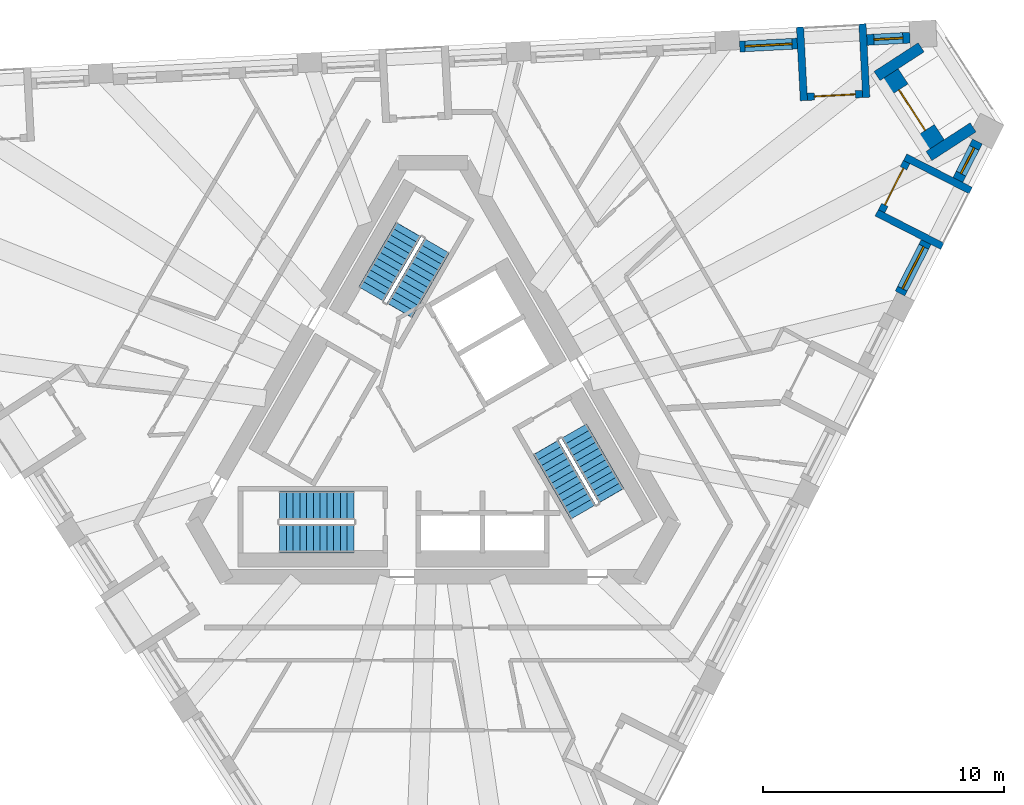
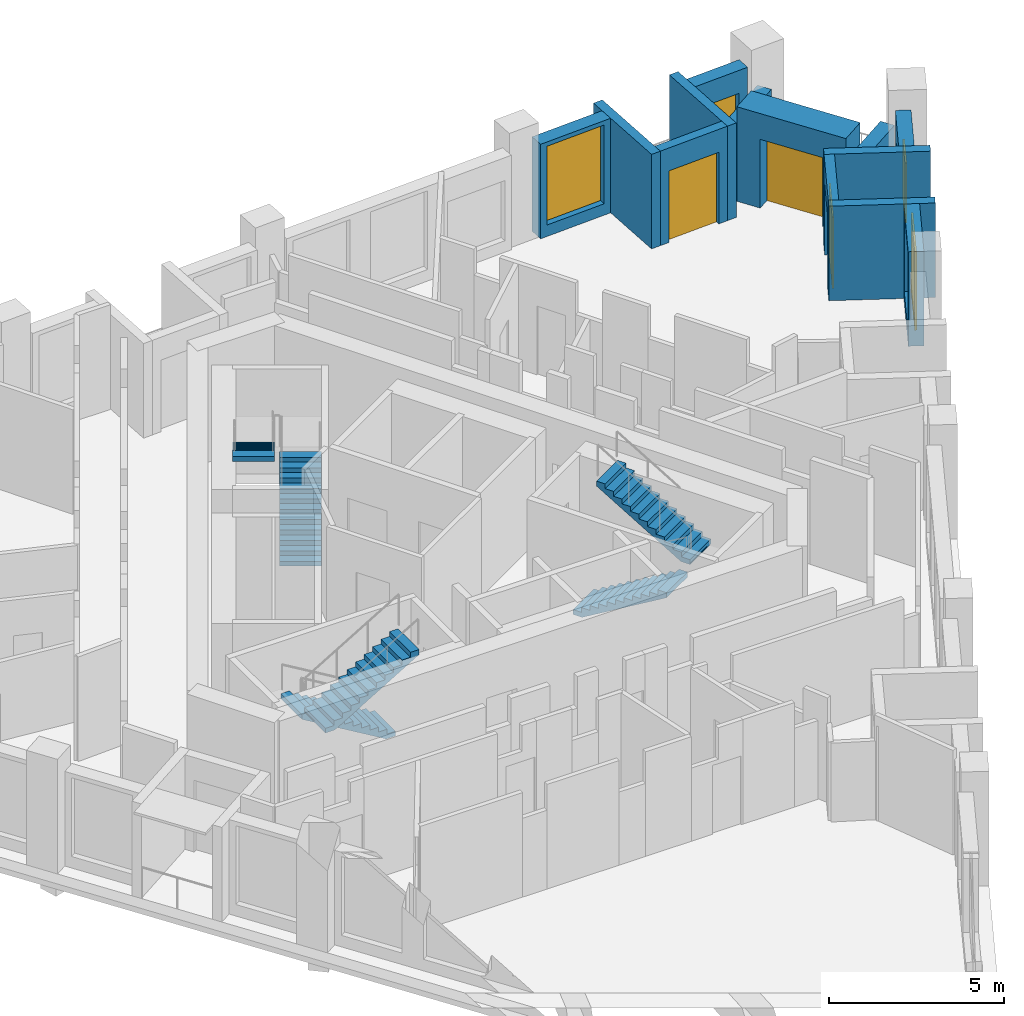
# One storey, part 8 of 12: 13 walls, 6 stair flights, 4 windows, 3 doors, 7 openings, 3 elements without a shape of their own.
"""IFC4 building model written with IfcOpenShell, lengths in metres."""

from ifc_helpers import new_model, si_unit, direction, frame, frame_2d, origin, place, context, subcontext, project, spatial, polyline, rectangle, outline, extrude, material, layer, layer_set, type_object, element, fill, aggregate, save


model = new_model("IFC4")

# Units and contexts
model_context = context("Model", 3, precision=1e-05, world=origin(), true_north=direction((0.0, 1.0)))
body_context = subcontext(model_context, "Body", "Model", "MODEL_VIEW")
ifc_project = project(units=[si_unit("LENGTHUNIT", "METRE"), si_unit("AREAUNIT", "SQUARE_METRE"), si_unit("VOLUMEUNIT", "CUBIC_METRE"), si_unit("PLANEANGLEUNIT", "RADIAN"), si_unit("MASSUNIT", "GRAM", prefix="KILO")], contexts=[model_context])

# Site, building, storey
site_placement = place(None, origin())
site = spatial("IfcSite", under=ifc_project, at=site_placement, CompositionType="ELEMENT")
building_placement = place(site_placement, origin())
building = spatial("IfcBuilding", under=site, at=building_placement, Name="Tramontana Tower", CompositionType="ELEMENT")
storey_placement = place(building_placement, frame((0.0, 0.0, 302.39990234375)))
storey = spatial("IfcBuildingStorey", under=building, at=storey_placement, Name="L71", CompositionType="ELEMENT", Elevation=302.39990234375)

# Wall, opening, window
ifc_material_1 = material(Name="Precast concrete 60 MPa", Category="concrete")
ifc_layer_1 = layer(ifc_material_1, 0.449951171875)
ifc_layer_set_1 = layer_set([ifc_layer_1], Name="Precast concrete 60 MPa, 450 mm")
wall_type_1 = type_object("IfcWallType", Name="EW1 Stone-faced precast wall 450", PredefinedType="SOLIDWALL", material=ifc_layer_set_1)
wall_1_placement = place(storey_placement, frame((19.333740234375, 5.28955078125, 0.0), z_axis=(0.0, 0.0, 1.0), x_axis=(0.453951830128, 0.891026226283, 0.0)))
wall_1 = element("IfcWall", 1, at=wall_1_placement, inside=storey, type_object=wall_type_1, Name="External wall L71 face 1 bay 5", PredefinedType="SOLIDWALL", context=body_context, shape_type="SweptSolid", body=[
    extrude(rectangle(XDim=2.38671875, YDim=0.449951171875, at=frame_2d((1.193359375, 0.0))), origin(), (0.0, 0.0, 1.0), 3.300048828125),
])
opening_1_placement = place(wall_1_placement, frame((0.21826171875, 0.0, 0.39990234375)))
opening_1 = element("IfcOpeningElement", 2, at=opening_1_placement, cuts=wall_1, Name="Opening M3", PredefinedType="OPENING", context=body_context, shape_type="SweptSolid", body=[
    extrude(rectangle(XDim=1.949951171875, YDim=2.75, at=frame_2d((0.97509765625, 1.375))), frame((0.0, 0.23486328125, 0.0), z_axis=(0.0, -1.0, 0.0), x_axis=(1.0, 0.0, 0.0)), (0.0, 0.0, 1.0), 0.469970703125),
])
ifc_material_2 = material(Name="Aluminum frame, double glazing unit", Category="aluminium")
window_type_1 = type_object("IfcWindowType", Name="M3 Window 1.95 x 2.75", PartitioningType="SINGLE_PANEL", PredefinedType="WINDOW", material=ifc_material_2)
window_1_placement = place(opening_1_placement, origin())
window_1 = element("IfcWindow", 3, at=window_1_placement, inside=storey, type_object=window_type_1, Name="Window M3 L71 face 1 module 13", OverallHeight=2.75, OverallWidth=1.949951171875, PartitioningType="SINGLE_PANEL", PredefinedType="WINDOW", context=body_context, shape_type="SweptSolid", body=[
    extrude(rectangle(XDim=1.949951171875, YDim=2.75, at=frame_2d((0.97509765625, 1.375))), frame((0.0, 0.030029296875, 0.0), z_axis=(0.0, -1.0, 0.0), x_axis=(1.0, 0.0, 0.0)), (0.0, 0.0, 1.0), 0.06005859375),
])
fill(opening_1, window_1)

wall_2_placement = place(storey_placement, frame((21.727783203125, 9.98828125, 0.0), z_axis=(0.0, 0.0, 1.0), x_axis=(0.454032211525, 0.890985269742, 0.0)))
wall_2 = element("IfcWall", 4, at=wall_2_placement, inside=storey, type_object=wall_type_1, Name="External wall L71 face 1 bay 5", PredefinedType="SOLIDWALL", context=body_context, shape_type="SweptSolid", body=[
    extrude(rectangle(XDim=1.786865234375, YDim=0.449951171875, at=frame_2d((0.8935546875, 0.0))), origin(), (0.0, 0.0, 1.0), 3.300048828125),
])
opening_2_placement = place(wall_2_placement, frame((0.29345703125, 0.0, 0.39990234375)))
opening_2 = element("IfcOpeningElement", 5, at=opening_2_placement, cuts=wall_2, Name="Opening N3L", PredefinedType="OPENING", context=body_context, shape_type="SweptSolid", body=[
    extrude(rectangle(XDim=1.199951171875, YDim=2.10009765625, at=frame_2d((0.60009765625, 1.050048828125))), frame((0.0, 0.23486328125, 0.0), z_axis=(0.0, -1.0, 0.0), x_axis=(1.0, 0.0, 0.0)), (0.0, 0.0, 1.0), 0.469970703125),
])
ifc_material_3 = material(Name="Aluminum frame, double glazing unit", Category="aluminium")
window_type_2 = type_object("IfcWindowType", Name="N3L Window 1.2 x 2.1", PartitioningType="SINGLE_PANEL", PredefinedType="WINDOW", material=ifc_material_3)
window_2_placement = place(opening_2_placement, origin())
window_2 = element("IfcWindow", 6, at=window_2_placement, inside=storey, type_object=window_type_2, Name="Window N3L L71 face 1 module 15", OverallHeight=2.10009765625, OverallWidth=1.199951171875, PartitioningType="SINGLE_PANEL", PredefinedType="WINDOW", context=body_context, shape_type="SweptSolid", body=[
    extrude(rectangle(XDim=1.199951171875, YDim=2.10009765625, at=frame_2d((0.60009765625, 1.050048828125))), frame((0.0, 0.030029296875, 0.0), z_axis=(0.0, -1.0, 0.0), x_axis=(1.0, 0.0, 0.0)), (0.0, 0.0, 1.0), 0.06005859375),
])
fill(opening_2, window_2)

wall_3_placement = place(storey_placement, frame((19.74658203125, 15.880126953125, 0.0), z_axis=(0.0, 0.0, 1.0), x_axis=(-0.998629506551, -0.052336494391, 0.0)))
wall_3 = element("IfcWall", 7, at=wall_3_placement, inside=storey, type_object=wall_type_1, Name="External wall L71 face 2 bay 1", PredefinedType="SOLIDWALL", context=body_context, shape_type="SweptSolid", body=[
    extrude(rectangle(XDim=1.78662109375, YDim=0.449951171875, at=frame_2d((0.893310546875, 0.0))), origin(), (0.0, 0.0, 1.0), 3.300048828125),
])
opening_3_placement = place(wall_3_placement, frame((0.29345703125, 0.0, 0.39990234375)))
opening_3 = element("IfcOpeningElement", 8, at=opening_3_placement, cuts=wall_3, Name="Opening N3L", PredefinedType="OPENING", context=body_context, shape_type="SweptSolid", body=[
    extrude(rectangle(XDim=1.199951171875, YDim=2.10009765625, at=frame_2d((0.60009765625, 1.050048828125))), frame((0.0, 0.23486328125, 0.0), z_axis=(0.0, -1.0, 0.0), x_axis=(1.0, 0.0, 0.0)), (0.0, 0.0, 1.0), 0.469970703125),
])
window_3_placement = place(opening_3_placement, origin())
window_3 = element("IfcWindow", 9, at=window_3_placement, inside=storey, type_object=window_type_2, Name="Window N3L L71 face 2 module 1", OverallHeight=2.10009765625, OverallWidth=1.199951171875, PartitioningType="SINGLE_PANEL", PredefinedType="WINDOW", context=body_context, shape_type="SweptSolid", body=[
    extrude(rectangle(XDim=1.199951171875, YDim=2.10009765625, at=frame_2d((0.60009765625, 1.050048828125))), frame((0.0, 0.030029296875, 0.0), z_axis=(0.0, -1.0, 0.0), x_axis=(1.0, 0.0, 0.0)), (0.0, 0.0, 1.0), 0.06005859375),
])
fill(opening_3, window_3)

wall_4_placement = place(storey_placement, frame((15.07958984375, 15.6357421875, 0.0), z_axis=(0.0, 0.0, 1.0), x_axis=(-0.998627701279, -0.052370929331, 0.0)))
wall_4 = element("IfcWall", 10, at=wall_4_placement, inside=storey, type_object=wall_type_1, Name="External wall L71 face 2 bay 1", PredefinedType="SOLIDWALL", context=body_context, shape_type="SweptSolid", body=[
    extrude(rectangle(XDim=2.38671875, YDim=0.449951171875, at=frame_2d((1.193359375, 0.0))), origin(), (0.0, 0.0, 1.0), 3.300048828125),
])
opening_4_placement = place(wall_4_placement, frame((0.21826171875, 0.0, 0.39990234375)))
opening_4 = element("IfcOpeningElement", 11, at=opening_4_placement, cuts=wall_4, Name="Opening M3", PredefinedType="OPENING", context=body_context, shape_type="SweptSolid", body=[
    extrude(rectangle(XDim=1.949951171875, YDim=2.75, at=frame_2d((0.97509765625, 1.375))), frame((0.0, 0.23486328125, 0.0), z_axis=(0.0, -1.0, 0.0), x_axis=(1.0, 0.0, 0.0)), (0.0, 0.0, 1.0), 0.469970703125),
])
window_4_placement = place(opening_4_placement, origin())
window_4 = element("IfcWindow", 12, at=window_4_placement, inside=storey, type_object=window_type_1, Name="Window M3 L71 face 2 module 3", OverallHeight=2.75, OverallWidth=1.949951171875, PartitioningType="SINGLE_PANEL", PredefinedType="WINDOW", context=body_context, shape_type="SweptSolid", body=[
    extrude(rectangle(XDim=1.949951171875, YDim=2.75, at=frame_2d((0.97509765625, 1.375))), frame((0.0, 0.030029296875, 0.0), z_axis=(0.0, -1.0, 0.0), x_axis=(1.0, 0.0, 0.0)), (0.0, 0.0, 1.0), 0.06005859375),
])
fill(opening_4, window_4)

# Walls
for number, where, z_axis, x_axis, name in (
    (13, (20.209228515625, 15.478759765625, 0.0), (0.0, 0.0, 1.0), (-0.838694375731, -0.544602372486, 0.0), "Corner loggia side wall L71 K72l"),
    (14, (22.3603515625, 12.166015625, 0.0), (0.0, 0.0, 1.0), (-0.838694375731, -0.544602372486, 0.0), "Corner loggia side wall L71 K72r"),
):
    element("IfcWall", number, at=place(storey_placement, frame(where, z_axis=z_axis, x_axis=x_axis)), inside=storey, type_object=wall_type_1, Name=name, PredefinedType="SOLIDWALL", context=body_context, shape_type="SweptSolid", body=[
        extrude(rectangle(XDim=2.17919921875, YDim=0.449951171875, at=frame_2d((1.089599609375, 0.0))), origin(), (0.0, 0.0, 1.0), 2.550048828125),
    ])

# Wall, opening, door
ifc_material_4 = material(Name="Precast concrete 60 MPa", Category="concrete")
ifc_layer_2 = layer(ifc_material_4, 0.89990234375)
ifc_layer_set_2 = layer_set([ifc_layer_2], Name="EW2 Stone-faced corner loggia wall 900")
wall_type_2 = type_object("IfcWallType", Name="EW2 Stone-faced corner loggia wall 900", PredefinedType="SOLIDWALL", material=ifc_layer_set_2)
wall_5_placement = place(storey_placement, frame((18.88134765625, 14.348388671875, 0.0), z_axis=(0.0, 0.0, 1.0), x_axis=(0.544647498784, -0.838665071449, 0.0)))
wall_5 = element("IfcWall", 15, at=wall_5_placement, inside=storey, type_object=wall_type_2, Name="Corner loggia wall L71 K72", PredefinedType="SOLIDWALL", context=body_context, shape_type="SweptSolid", body=[
    extrude(rectangle(XDim=3.5, YDim=0.89990234375, at=frame_2d((1.75, 0.0))), origin(), (0.0, 0.0, 1.0), 3.300048828125),
])
opening_5_placement = place(wall_5_placement, frame((0.75, 0.0, 0.0)))
opening_5 = element("IfcOpeningElement", 16, at=opening_5_placement, cuts=wall_5, Name="Opening BD-72C", PredefinedType="OPENING", context=body_context, shape_type="SweptSolid", body=[
    extrude(rectangle(XDim=2.0, YDim=2.39990234375, at=frame_2d((1.0, 1.199951171875))), frame((0.0, 0.4599609375, 0.0), z_axis=(0.0, -1.0, 0.0), x_axis=(1.0, 0.0, 0.0)), (0.0, 0.0, 1.0), 0.919921875),
])
ifc_material_5 = material(Name="Aluminum frame, double glazing unit", Category="aluminium")
door_type_1 = type_object("IfcDoorType", Name="BC1 Sliding door 2 x 2.4", OperationType="SLIDING_TO_LEFT", PredefinedType="DOOR", material=ifc_material_5)
door_1_placement = place(opening_5_placement, origin())
door_1 = element("IfcDoor", 17, at=door_1_placement, inside=storey, type_object=door_type_1, Name="Corner loggia door L71 K72", OperationType="SLIDING_TO_LEFT", OverallHeight=2.39990234375, OverallWidth=2.0, PredefinedType="DOOR", context=body_context, shape_type="SweptSolid", body=[
    extrude(rectangle(XDim=2.0, YDim=2.39990234375, at=frame_2d((1.0, 1.199951171875))), frame((0.0, 0.02490234375, 0.0), z_axis=(0.0, -1.0, 0.0), x_axis=(1.0, 0.0, 0.0)), (0.0, 0.0, 1.0), 0.050048828125),
])
fill(opening_5, door_1)

ifc_material_6 = material(Name="Precast concrete 60 MPa", Category="concrete")
ifc_layer_3 = layer(ifc_material_6, 0.300048828125)
ifc_layer_set_3 = layer_set([ifc_layer_3], Name="LW1 Stone-faced loggia wall 300")
wall_type_3 = type_object("IfcWallType", Name="LW1 Stone-faced loggia wall 300", PredefinedType="SOLIDWALL", material=ifc_layer_set_3)
wall_6_placement = place(storey_placement, frame((18.571044921875, 8.693603515625, 0.0), z_axis=(0.0, 0.0, 1.0), x_axis=(0.453948171533, 0.89102809022, 0.0)))
wall_6 = element("IfcWall", 18, at=wall_6_placement, inside=storey, type_object=wall_type_3, Name="Loggia wall L71 G7S1.13", PredefinedType="SOLIDWALL", context=body_context, shape_type="SweptSolid", body=[
    extrude(rectangle(XDim=2.286865234375, YDim=0.300048828125, at=frame_2d((1.1435546875, 0.0))), origin(), (0.0, 0.0, 1.0), 3.300048828125),
])
opening_6_placement = place(wall_6_placement, frame((0.29345703125, 0.0, 0.0)))
opening_6 = element("IfcOpeningElement", 19, at=opening_6_placement, cuts=wall_6, Name="Opening BD-7S1-13", PredefinedType="OPENING", context=body_context, shape_type="SweptSolid", body=[
    extrude(rectangle(XDim=1.699951171875, YDim=2.5, at=frame_2d((0.85009765625, 1.25))), frame((0.0, 0.159912109375, 0.0), z_axis=(0.0, -1.0, 0.0), x_axis=(1.0, 0.0, 0.0)), (0.0, 0.0, 1.0), 0.320068359375),
])
ifc_material_7 = material(Name="Aluminum frame, double glazing unit", Category="aluminium")
door_type_2 = type_object("IfcDoorType", Name="BD3 Sliding door 1.7 x 2.5", OperationType="SLIDING_TO_LEFT", PredefinedType="DOOR", material=ifc_material_7)
door_2_placement = place(opening_6_placement, origin())
door_2 = element("IfcDoor", 20, at=door_2_placement, inside=storey, type_object=door_type_2, Name="Loggia door L71 G7S1.13", OperationType="SLIDING_TO_LEFT", OverallHeight=2.5, OverallWidth=1.699951171875, PredefinedType="DOOR", context=body_context, shape_type="SweptSolid", body=[
    extrude(rectangle(XDim=1.699951171875, YDim=2.5, at=frame_2d((0.85009765625, 1.25))), frame((0.0, 0.02490234375, 0.0), z_axis=(0.0, -1.0, 0.0), x_axis=(1.0, 0.0, 0.0)), (0.0, 0.0, 1.0), 0.050048828125),
])
fill(opening_6, door_2)

# Walls
for number, where, z_axis, x_axis, name in (
    (21, (21.086669921875, 7.243408203125, 0.0), (0.0, 0.0, 1.0), (-0.890991233495, 0.454020508165, 0.0), "Loggia return L71 G7S1.13a"),
    (22, (22.26123046875, 9.54833984375, 0.0), (0.0, 0.0, 1.0), (-0.891040107702, 0.453924582355, 0.0), "Loggia return L71 G7S1.13b"),
):
    element("IfcWall", number, at=place(storey_placement, frame(where, z_axis=z_axis, x_axis=x_axis)), inside=storey, type_object=wall_type_3, Name=name, PredefinedType="SOLIDWALL", context=body_context, shape_type="SweptSolid", body=[
        extrude(rectangle(XDim=3.050048828125, YDim=0.300048828125, at=frame_2d((1.52490234375, 0.0))), origin(), (0.0, 0.0, 1.0), 3.300048828125),
    ])

# Wall, opening, door
wall_7_placement = place(storey_placement, frame((17.779052734375, 13.549072265625, 0.0), z_axis=(0.0, 0.0, 1.0), x_axis=(-0.998630483018, -0.052317859155, 0.0)))
wall_7 = element("IfcWall", 23, at=wall_7_placement, inside=storey, type_object=wall_type_3, Name="Loggia wall L71 G7S2.1", PredefinedType="SOLIDWALL", context=body_context, shape_type="SweptSolid", body=[
    extrude(rectangle(XDim=2.28662109375, YDim=0.300048828125, at=frame_2d((1.143310546875, 0.0))), origin(), (0.0, 0.0, 1.0), 3.300048828125),
])
opening_7_placement = place(wall_7_placement, frame((0.29345703125, 0.0, 0.0)))
opening_7 = element("IfcOpeningElement", 24, at=opening_7_placement, cuts=wall_7, Name="Opening BD-7S2-01", PredefinedType="OPENING", context=body_context, shape_type="SweptSolid", body=[
    extrude(rectangle(XDim=1.699951171875, YDim=2.5, at=frame_2d((0.85009765625, 1.25))), frame((0.0, 0.159912109375, 0.0), z_axis=(0.0, -1.0, 0.0), x_axis=(1.0, 0.0, 0.0)), (0.0, 0.0, 1.0), 0.320068359375),
])
door_3_placement = place(opening_7_placement, origin())
door_3 = element("IfcDoor", 25, at=door_3_placement, inside=storey, type_object=door_type_2, Name="Loggia door L71 G7S2.1", OperationType="SLIDING_TO_LEFT", OverallHeight=2.5, OverallWidth=1.699951171875, PredefinedType="DOOR", context=body_context, shape_type="SweptSolid", body=[
    extrude(rectangle(XDim=1.699951171875, YDim=2.5, at=frame_2d((0.85009765625, 1.25))), frame((0.0, 0.02490234375, 0.0), z_axis=(0.0, -1.0, 0.0), x_axis=(1.0, 0.0, 0.0)), (0.0, 0.0, 1.0), 0.050048828125),
])
fill(opening_7, door_3)

# Walls
wall_8_placement = place(storey_placement, frame((17.777099609375, 16.452880859375, 0.0), z_axis=(0.0, 0.0, 1.0), x_axis=(0.052352956549, -0.998628643661, 0.0)))
element("IfcWall", 26, at=wall_8_placement, inside=storey, type_object=wall_type_3, Name="Loggia return L71 G7S2.1a", PredefinedType="SOLIDWALL", context=body_context, shape_type="SweptSolid", body=[
    extrude(rectangle(XDim=3.0498046875, YDim=0.300048828125, at=frame_2d((1.52490234375, 0.0))), origin(), (0.0, 0.0, 1.0), 3.300048828125),
])
wall_9_placement = place(storey_placement, frame((15.19384765625, 16.317626953125, 0.0), z_axis=(0.0, 0.0, 1.0), x_axis=(0.052348771756, -0.99862886304, 0.0)))
element("IfcWall", 27, at=wall_9_placement, inside=storey, type_object=wall_type_3, Name="Loggia return L71 G7S2.1b", PredefinedType="SOLIDWALL", context=body_context, shape_type="SweptSolid", body=[
    extrude(rectangle(XDim=3.050048828125, YDim=0.300048828125, at=frame_2d((1.52490234375, 0.0))), origin(), (0.0, 0.0, 1.0), 3.300048828125),
])

# Stair, stair flights
ifc_material_8 = material(Name="Concrete 40 MPa", Category="concrete")
stair_type = type_object("IfcStairType", Name="EXIT STAIR 24 RISERS", PredefinedType="HALF_TURN_STAIR", material=ifc_material_8)
stair_1_placement = place(storey_placement, origin())
stair_1 = element("IfcStair", 28, at=stair_1_placement, inside=storey, type_object=stair_type, Name="L71 Exit stair ST1", PredefinedType="HALF_TURN_STAIR")
ifc_material_9 = material(Name="Concrete 40 MPa", Category="concrete")
ifc_layer_4 = layer(ifc_material_9, 0.14990234375)
ifc_layer_set_4 = layer_set([ifc_layer_4], Name="EXIT STAIR FLIGHT")
stair_flight_type = type_object("IfcStairFlightType", Name="EXIT STAIR FLIGHT", PredefinedType="STRAIGHT", material=ifc_layer_set_4)
stair_flight_1_placement = place(storey_placement, frame((-1.39111328125, 4.590576171875, 0.0), z_axis=(0.0, 0.0, 1.0), x_axis=(0.5, 0.866025403784, 0.0)))
stair_flight_1 = element("IfcStairFlight", 29, at=stair_flight_1_placement, type_object=stair_flight_type, Name="ST1 flight 1", NumberOfRisers=12, NumberOfTreads=11, PredefinedType="STRAIGHT", RiserHeight=0.166666667, TreadLength=0.28, context=body_context, shape_type="SweptSolid", body=[
    extrude(outline(polyline([(-0.006103515625, 0.0), (-0.006103515625, 0.0400390625), (0.0, 0.0400390625), (0.0, 0.166748046875), (0.280029296875, 0.166748046875), (0.280029296875, 0.333251953125), (0.56005859375, 0.333251953125), (0.56005859375, 0.5), (0.840087890625, 0.5), (0.840087890625, 0.666748046875), (1.1201171875, 0.666748046875), (1.1201171875, 0.833251953125), (1.39990234375, 0.833251953125), (1.39990234375, 1.0), (1.679931640625, 1.0), (1.679931640625, 1.166748046875), (1.9599609375, 1.166748046875), (1.9599609375, 1.333251953125), (2.239990234375, 1.333251953125), (2.239990234375, 1.5), (2.52001953125, 1.5), (2.52001953125, 1.666748046875), (2.800048828125, 1.666748046875), (2.800048828125, 1.833251953125), (3.080078125, 1.833251953125), (3.0859375, 1.833251953125), (3.0859375, 1.658935546875), (0.299072265625, 0.0), (-0.006103515625, 0.0)])), frame((0.0, 0.60009765625, 0.0), z_axis=(0.0, -1.0, 0.0), x_axis=(1.0, 0.0, 0.0)), (0.0, 0.0, 1.0), 1.199951171875),
])
stair_flight_2_placement = place(storey_placement, frame((-1.020263671875, 7.932861328125, 2.0), z_axis=(0.0, 0.0, 1.0), x_axis=(-0.5, -0.866025403784, 0.0)))
stair_flight_2 = element("IfcStairFlight", 30, at=stair_flight_2_placement, type_object=stair_flight_type, Name="ST1 flight 2", NumberOfRisers=12, NumberOfTreads=11, PredefinedType="STRAIGHT", RiserHeight=0.166666667, TreadLength=0.28, context=body_context, shape_type="SweptSolid", body=[
    extrude(outline(polyline([(-0.006103515625, 0.0), (-0.006103515625, 0.0400390625), (0.0, 0.0400390625), (0.0, 0.166748046875), (0.280029296875, 0.166748046875), (0.280029296875, 0.333251953125), (0.56005859375, 0.333251953125), (0.56005859375, 0.5), (0.840087890625, 0.5), (0.840087890625, 0.666748046875), (1.1201171875, 0.666748046875), (1.1201171875, 0.833251953125), (1.39990234375, 0.833251953125), (1.39990234375, 1.0), (1.679931640625, 1.0), (1.679931640625, 1.166748046875), (1.9599609375, 1.166748046875), (1.9599609375, 1.333251953125), (2.239990234375, 1.333251953125), (2.239990234375, 1.5), (2.52001953125, 1.5), (2.52001953125, 1.666748046875), (2.800048828125, 1.666748046875), (2.800048828125, 1.833251953125), (3.080078125, 1.833251953125), (3.0859375, 1.833251953125), (3.0859375, 1.658935546875), (0.299072265625, 0.0), (-0.006103515625, 0.0)])), frame((0.0, 0.60009765625, 0.0), z_axis=(0.0, -1.0, 0.0), x_axis=(1.0, 0.0, 0.0)), (0.0, 0.0, 1.0), 1.199951171875),
])
aggregate(stair_1, [stair_flight_1, stair_flight_2])

stair_2_placement = place(storey_placement, origin())
stair_2 = element("IfcStair", 31, at=stair_2_placement, inside=storey, type_object=stair_type, Name="L71 Exit stair ST2", PredefinedType="HALF_TURN_STAIR")
stair_flight_3_placement = place(storey_placement, frame((-3.280029296875, -3.5, 0.0), z_axis=(0.0, 0.0, 1.0), x_axis=(-1.0, 0.0, 0.0)))
stair_flight_3 = element("IfcStairFlight", 32, at=stair_flight_3_placement, type_object=stair_flight_type, Name="ST2 flight 1", NumberOfRisers=12, NumberOfTreads=11, PredefinedType="STRAIGHT", RiserHeight=0.166666667, TreadLength=0.28, context=body_context, shape_type="SweptSolid", body=[
    extrude(outline(polyline([(-0.006103515625, 0.0), (-0.006103515625, 0.0400390625), (0.0, 0.0400390625), (0.0, 0.166748046875), (0.280029296875, 0.166748046875), (0.280029296875, 0.333251953125), (0.56005859375, 0.333251953125), (0.56005859375, 0.5), (0.840087890625, 0.5), (0.840087890625, 0.666748046875), (1.1201171875, 0.666748046875), (1.1201171875, 0.833251953125), (1.39990234375, 0.833251953125), (1.39990234375, 1.0), (1.679931640625, 1.0), (1.679931640625, 1.166748046875), (1.9599609375, 1.166748046875), (1.9599609375, 1.333251953125), (2.239990234375, 1.333251953125), (2.239990234375, 1.5), (2.52001953125, 1.5), (2.52001953125, 1.666748046875), (2.800048828125, 1.666748046875), (2.800048828125, 1.833251953125), (3.080078125, 1.833251953125), (3.0859375, 1.833251953125), (3.0859375, 1.658935546875), (0.299072265625, 0.0), (-0.006103515625, 0.0)])), frame((0.0, 0.60009765625, 0.0), z_axis=(0.0, -1.0, 0.0), x_axis=(1.0, 0.0, 0.0)), (0.0, 0.0, 1.0), 1.199951171875),
])
stair_flight_4_placement = place(storey_placement, frame((-6.360107421875, -4.85009765625, 2.0), z_axis=(0.0, 0.0, 1.0), x_axis=(1.0, 0.0, 0.0)))
stair_flight_4 = element("IfcStairFlight", 33, at=stair_flight_4_placement, type_object=stair_flight_type, Name="ST2 flight 2", NumberOfRisers=12, NumberOfTreads=11, PredefinedType="STRAIGHT", RiserHeight=0.166666667, TreadLength=0.28, context=body_context, shape_type="SweptSolid", body=[
    extrude(outline(polyline([(-0.006103515625, 0.0), (-0.006103515625, 0.0400390625), (0.0, 0.0400390625), (0.0, 0.166748046875), (0.280029296875, 0.166748046875), (0.280029296875, 0.333251953125), (0.56005859375, 0.333251953125), (0.56005859375, 0.5), (0.840087890625, 0.5), (0.840087890625, 0.666748046875), (1.1201171875, 0.666748046875), (1.1201171875, 0.833251953125), (1.39990234375, 0.833251953125), (1.39990234375, 1.0), (1.679931640625, 1.0), (1.679931640625, 1.166748046875), (1.9599609375, 1.166748046875), (1.9599609375, 1.333251953125), (2.239990234375, 1.333251953125), (2.239990234375, 1.5), (2.52001953125, 1.5), (2.52001953125, 1.666748046875), (2.800048828125, 1.666748046875), (2.800048828125, 1.833251953125), (3.080078125, 1.833251953125), (3.0859375, 1.833251953125), (3.0859375, 1.658935546875), (0.299072265625, 0.0), (-0.006103515625, 0.0)])), frame((0.0, 0.60009765625, 0.0), z_axis=(0.0, -1.0, 0.0), x_axis=(1.0, 0.0, 0.0)), (0.0, 0.0, 1.0), 1.199951171875),
])
aggregate(stair_2, [stair_flight_3, stair_flight_4])

stair_3_placement = place(storey_placement, origin())
stair_3 = element("IfcStair", 34, at=stair_3_placement, inside=storey, type_object=stair_type, Name="L71 Exit stair ST3", PredefinedType="HALF_TURN_STAIR")
stair_flight_5_placement = place(storey_placement, frame((4.671142578125, -1.090576171875, 0.0), z_axis=(0.0, 0.0, 1.0), x_axis=(0.5, -0.866025403784, 0.0)))
stair_flight_5 = element("IfcStairFlight", 35, at=stair_flight_5_placement, type_object=stair_flight_type, Name="ST3 flight 1", NumberOfRisers=12, NumberOfTreads=11, PredefinedType="STRAIGHT", RiserHeight=0.166666667, TreadLength=0.28, context=body_context, shape_type="SweptSolid", body=[
    extrude(outline(polyline([(-0.006103515625, 0.0), (-0.006103515625, 0.0400390625), (0.0, 0.0400390625), (0.0, 0.166748046875), (0.280029296875, 0.166748046875), (0.280029296875, 0.333251953125), (0.56005859375, 0.333251953125), (0.56005859375, 0.5), (0.840087890625, 0.5), (0.840087890625, 0.666748046875), (1.1201171875, 0.666748046875), (1.1201171875, 0.833251953125), (1.39990234375, 0.833251953125), (1.39990234375, 1.0), (1.679931640625, 1.0), (1.679931640625, 1.166748046875), (1.9599609375, 1.166748046875), (1.9599609375, 1.333251953125), (2.239990234375, 1.333251953125), (2.239990234375, 1.5), (2.52001953125, 1.5), (2.52001953125, 1.666748046875), (2.800048828125, 1.666748046875), (2.800048828125, 1.833251953125), (3.080078125, 1.833251953125), (3.0859375, 1.833251953125), (3.0859375, 1.658935546875), (0.299072265625, 0.0), (-0.006103515625, 0.0)])), frame((0.0, 0.60009765625, 0.0), z_axis=(0.0, -1.0, 0.0), x_axis=(1.0, 0.0, 0.0)), (0.0, 0.0, 1.0), 1.199951171875),
])
stair_flight_6_placement = place(storey_placement, frame((7.380126953125, -3.0830078125, 2.0), z_axis=(0.0, 0.0, 1.0), x_axis=(-0.5, 0.866025403784, 0.0)))
stair_flight_6 = element("IfcStairFlight", 36, at=stair_flight_6_placement, type_object=stair_flight_type, Name="ST3 flight 2", NumberOfRisers=12, NumberOfTreads=11, PredefinedType="STRAIGHT", RiserHeight=0.166666667, TreadLength=0.28, context=body_context, shape_type="SweptSolid", body=[
    extrude(outline(polyline([(-0.006103515625, 0.0), (-0.006103515625, 0.0400390625), (0.0, 0.0400390625), (0.0, 0.166748046875), (0.280029296875, 0.166748046875), (0.280029296875, 0.333251953125), (0.56005859375, 0.333251953125), (0.56005859375, 0.5), (0.840087890625, 0.5), (0.840087890625, 0.666748046875), (1.1201171875, 0.666748046875), (1.1201171875, 0.833251953125), (1.39990234375, 0.833251953125), (1.39990234375, 1.0), (1.679931640625, 1.0), (1.679931640625, 1.166748046875), (1.9599609375, 1.166748046875), (1.9599609375, 1.333251953125), (2.239990234375, 1.333251953125), (2.239990234375, 1.5), (2.52001953125, 1.5), (2.52001953125, 1.666748046875), (2.800048828125, 1.666748046875), (2.800048828125, 1.833251953125), (3.080078125, 1.833251953125), (3.0859375, 1.833251953125), (3.0859375, 1.658935546875), (0.299072265625, 0.0), (-0.006103515625, 0.0)])), frame((0.0, 0.60009765625, 0.0), z_axis=(0.0, -1.0, 0.0), x_axis=(1.0, 0.0, 0.0)), (0.0, 0.0, 1.0), 1.199951171875),
])
aggregate(stair_3, [stair_flight_5, stair_flight_6])

save(model, "model.ifc")
